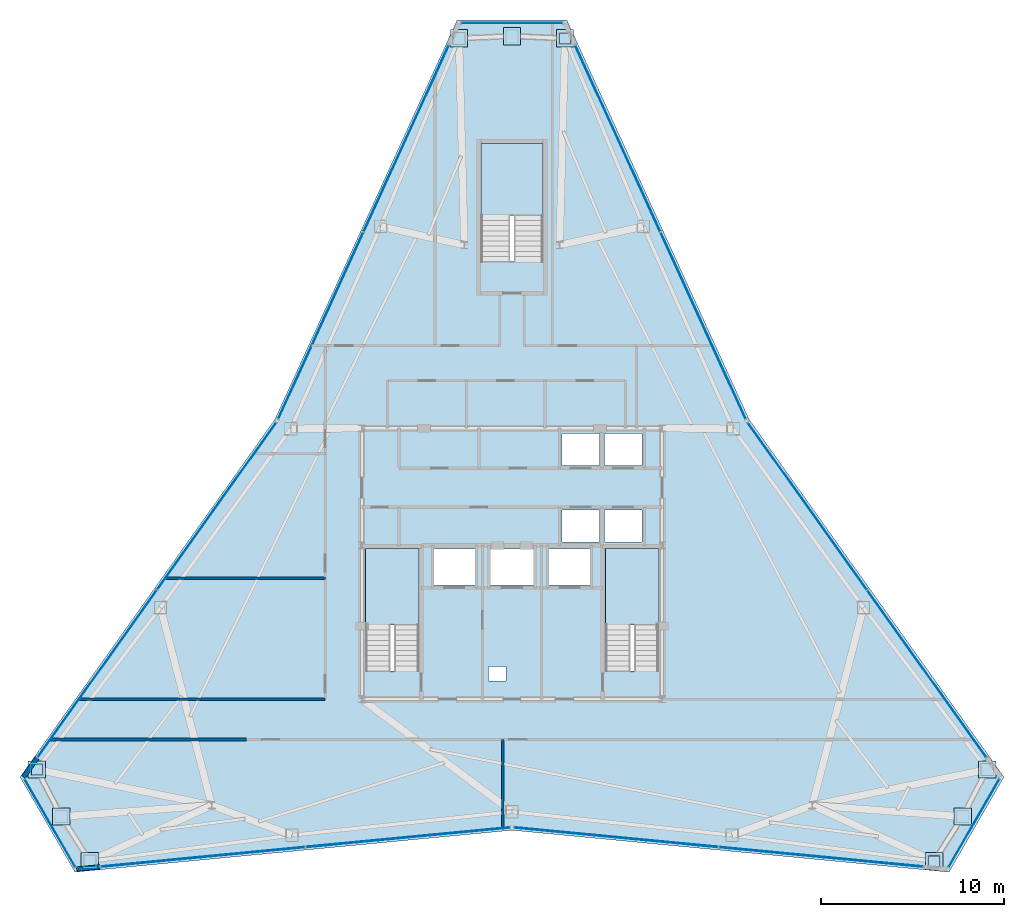
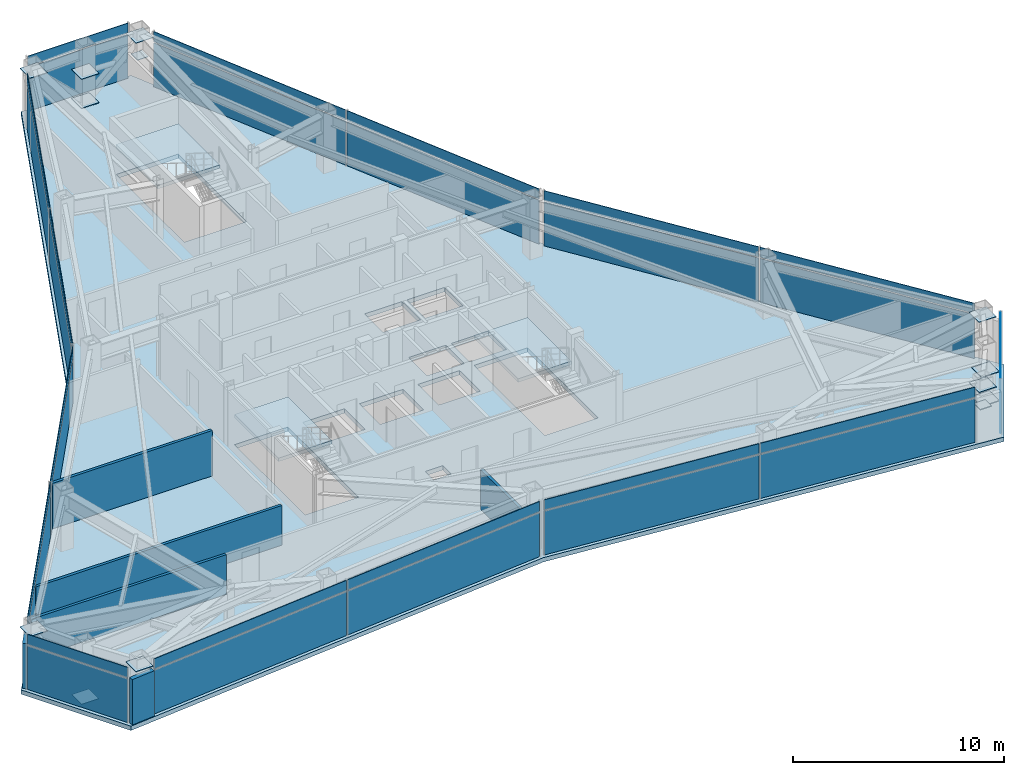
# One storey, part 8 of 12: 45 plates, 6 walls, 4 slabs, 12 elements without a shape of their own.
"""IFC4 building model written with IfcOpenShell, lengths in metres."""

from ifc_helpers import new_model, si_unit, direction, frame, frame_2d, origin, origin_2d, place, context, subcontext, project, spatial, polyline, rectangle, outline, extrude, source, transform, mapped, material, layer, layer_set, type_object, type_shapes, element, aggregate, save


model = new_model("IFC4")

# Units and contexts
model_context = context("Model", 3, precision=1e-05, world=origin(), true_north=direction((0.0, 1.0)))
body_context = subcontext(model_context, "Body", "Model", "MODEL_VIEW")
ifc_project = project(units=[si_unit("LENGTHUNIT", "METRE"), si_unit("AREAUNIT", "SQUARE_METRE"), si_unit("VOLUMEUNIT", "CUBIC_METRE"), si_unit("PLANEANGLEUNIT", "RADIAN"), si_unit("MASSUNIT", "GRAM", prefix="KILO")], contexts=[model_context])

# Site, building, storey
site_placement = place(None, origin())
site = spatial("IfcSite", under=ifc_project, at=site_placement, CompositionType="ELEMENT")
building_placement = place(site_placement, origin())
building = spatial("IfcBuilding", under=site, at=building_placement, Name="Varakhsha Concourse Tower", CompositionType="ELEMENT")
storey_placement = place(building_placement, frame((0.0, 0.0, 243.39990234375)))
storey = spatial("IfcBuildingStorey", under=building, at=storey_placement, Name="L69", CompositionType="ELEMENT", Elevation=243.39990234375)

# Slab
ifc_material_1 = material(Name="Concrete fc 45 MPa", Category="concrete")
ifc_layer_1 = layer(ifc_material_1, 0.25, Name="SL-FLR-250")
ifc_layer_set_1 = layer_set([ifc_layer_1], Name="Concrete fc 45 MPa")
slab_type_1 = type_object("IfcSlabType", Name="SL-FLR-250", PredefinedType="FLOOR", material=ifc_layer_set_1)
slab_1_placement = place(storey_placement, frame((0.0, 0.0, -0.25)))
element("IfcSlab", 1, at=slab_1_placement, inside=storey, type_object=slab_type_1, Name="L69 Composite Structural Slab", PredefinedType="FLOOR", context=body_context, shape_type="SweptSolid", body=[
    extrude(outline(polyline([(43.0, 53.4970703125), (37.0, 53.4970703125), (27.04443359375, 31.679931640625), (13.1279296875, 12.1494140625), (16.1279296875, 6.953369140625), (40.0, 9.240234375), (63.8720703125, 6.953369140625), (66.8720703125, 12.1494140625), (52.95556640625, 31.679931640625), (43.0, 53.4970703125)]), holes=[polyline([(34.919921875, 17.93994140625), (34.919921875, 24.6298828125), (32.0, 24.6298828125), (32.0, 17.93994140625), (34.919921875, 17.93994140625)]), polyline([(48.02001953125, 17.93994140625), (48.02001953125, 24.6298828125), (45.10009765625, 24.6298828125), (45.10009765625, 17.93994140625), (48.02001953125, 17.93994140625)]), polyline([(41.699951171875, 40.300048828125), (41.699951171875, 46.75), (38.300048828125, 46.75), (38.300048828125, 40.300048828125), (41.699951171875, 40.300048828125)]), polyline([(42.739990234375, 29.159912109375), (44.780029296875, 29.159912109375), (44.780029296875, 30.89990234375), (42.739990234375, 30.89990234375), (42.739990234375, 29.159912109375)]), polyline([(45.06005859375, 29.159912109375), (47.10009765625, 29.159912109375), (47.10009765625, 30.89990234375), (45.06005859375, 30.89990234375), (45.06005859375, 29.159912109375)]), polyline([(42.739990234375, 25.0), (44.780029296875, 25.0), (44.780029296875, 26.739990234375), (42.739990234375, 26.739990234375), (42.739990234375, 25.0)]), polyline([(45.06005859375, 25.0), (47.10009765625, 25.0), (47.10009765625, 26.739990234375), (45.06005859375, 26.739990234375), (45.06005859375, 25.0)]), polyline([(35.7099609375, 22.639892578125), (37.989990234375, 22.639892578125), (37.989990234375, 24.60009765625), (35.7099609375, 24.60009765625), (35.7099609375, 22.639892578125)]), polyline([(42.010009765625, 22.639892578125), (44.2900390625, 22.639892578125), (44.2900390625, 24.60009765625), (42.010009765625, 24.60009765625), (42.010009765625, 22.639892578125)]), polyline([(38.81005859375, 22.639892578125), (41.18994140625, 22.639892578125), (41.18994140625, 24.60009765625), (38.81005859375, 24.60009765625), (38.81005859375, 22.639892578125)]), polyline([(38.719970703125, 17.39990234375), (39.679931640625, 17.39990234375), (39.679931640625, 18.199951171875), (38.719970703125, 18.199951171875), (38.719970703125, 17.39990234375)])]), origin(), (0.0, 0.0, 1.0), 0.25),
])

# Stair, slab
stair_type_1 = type_object("IfcStairType", Name="ST-DOGLEG-1360", PredefinedType="HALF_TURN_STAIR", material=ifc_material_1)
stair_1_placement = place(storey_placement, origin())
stair_1 = element("IfcStair", 2, at=stair_1_placement, inside=storey, type_object=stair_type_1, Name="L69 Protected Exit Stair ST1", PredefinedType="HALF_TURN_STAIR")
ifc_layer_2 = layer(ifc_material_1, 0.199951171875, Name="SL-LAND-200")
ifc_layer_set_2 = layer_set([ifc_layer_2], Name="Concrete fc 45 MPa")
slab_type_2 = type_object("IfcSlabType", Name="SL-LAND-200", PredefinedType="LANDING", material=ifc_layer_set_2)
slab_2_placement = place(storey_placement, frame((0.0, 0.0, 1.550048828125)))
slab_2 = element("IfcSlab", 3, at=slab_2_placement, type_object=slab_type_2, Name="ST1 landing 1", PredefinedType="LANDING", context=body_context, shape_type="SweptSolid", body=[
    extrude(outline(polyline([(34.919921875, 20.4599609375), (34.919921875, 24.6298828125), (32.0, 24.6298828125), (32.0, 20.4599609375), (34.919921875, 20.4599609375)])), origin(), (0.0, 0.0, 1.0), 0.199951171875),
])
aggregate(stair_1, [slab_2])

stair_2_placement = place(storey_placement, origin())
stair_2 = element("IfcStair", 4, at=stair_2_placement, inside=storey, type_object=stair_type_1, Name="L69 Protected Exit Stair ST2", PredefinedType="HALF_TURN_STAIR")
slab_3_placement = place(storey_placement, frame((0.0, 0.0, 1.550048828125)))
slab_3 = element("IfcSlab", 5, at=slab_3_placement, type_object=slab_type_2, Name="ST2 landing 1", PredefinedType="LANDING", context=body_context, shape_type="SweptSolid", body=[
    extrude(outline(polyline([(48.02001953125, 20.4599609375), (48.02001953125, 24.6298828125), (45.10009765625, 24.6298828125), (45.10009765625, 20.4599609375), (48.02001953125, 20.4599609375)])), origin(), (0.0, 0.0, 1.0), 0.199951171875),
])
aggregate(stair_2, [slab_3])

stair_type_2 = type_object("IfcStairType", Name="ST-DOGLEG-1600", PredefinedType="HALF_TURN_STAIR", material=ifc_material_1)
stair_3_placement = place(storey_placement, origin())
stair_3 = element("IfcStair", 6, at=stair_3_placement, inside=storey, type_object=stair_type_2, Name="L69 Protected Exit Stair ST5", PredefinedType="HALF_TURN_STAIR")
slab_4_placement = place(storey_placement, frame((0.0, 0.0, 1.550048828125)))
slab_4 = element("IfcSlab", 7, at=slab_4_placement, type_object=slab_type_2, Name="ST5 landing 1", PredefinedType="LANDING", context=body_context, shape_type="SweptSolid", body=[
    extrude(outline(polyline([(41.699951171875, 42.820068359375), (41.699951171875, 46.75), (38.300048828125, 46.75), (38.300048828125, 42.820068359375), (41.699951171875, 42.820068359375)])), origin(), (0.0, 0.0, 1.0), 0.199951171875),
])
aggregate(stair_3, [slab_4])

# Plates
ifc_material_2 = material(Name="Structural Steel ASTM A572 Grade 50", Category="steel")
ifc_layer_3 = layer(ifc_material_2, 0.030029296875, Name="PL-ENDCAP-950")
ifc_layer_set_3 = layer_set([ifc_layer_3], Name="Structural Steel ASTM A572 Grade 50")
plate_type_1 = type_object("IfcPlateType", Name="PL-ENDCAP-950", PredefinedType="USERDEFINED", material=ifc_layer_set_3)
shared_shape_1 = source(origin(), body_context, "Body", "SweptSolid", [
    extrude(rectangle(XDim=0.949951171875, YDim=0.949951171875, at=origin_2d()), origin(), (0.0, 0.0, 1.0), 0.030029296875),
])
type_shapes(plate_type_1, [shared_shape_1])
for number, where, z_axis, x_axis, name in (
    (8, (40.0, 52.6171875, 0.10498046875), (0.0, 0.0, 1.0), (1.0, 0.0, 0.0), "Hollow Section End Cap GP-NODE-L69-0703"),
    (9, (42.89697265625, 52.490478515625, 2.93505859375), (0.0, 0.0, 1.0), (1.0, 0.0, 0.0), "Hollow Section End Cap GP-NODE-L69-0704"),
    (10, (37.10302734375, 52.490478515625, 2.93505859375), (0.0, 0.0, 1.0), (1.0, 0.0, 0.0), "Hollow Section End Cap GP-NODE-L69-0705"),
    (11, (15.389892578125, 9.991455078125, 0.10498046875), (0.0, 0.0, 1.0), (1.0, 0.0, 0.0), "Hollow Section End Cap GP-NODE-L69-0706"),
    (12, (14.05126953125, 12.563720703125, 2.93505859375), (0.0, 0.0, 1.0), (1.0, 0.0, 0.0), "Hollow Section End Cap GP-NODE-L69-0707"),
    (13, (16.9482421875, 7.5458984375, 2.93505859375), (0.0, 0.0, 1.0), (1.0, 0.0, 0.0), "Hollow Section End Cap GP-NODE-L69-0708"),
    (14, (64.610107421875, 9.991455078125, 0.10498046875), (0.0, 0.0, 1.0), (1.0, 0.0, 0.0), "Hollow Section End Cap GP-NODE-L69-0709"),
    (15, (63.0517578125, 7.5458984375, 2.93505859375), (0.0, 0.0, 1.0), (1.0, 0.0, 0.0), "Hollow Section End Cap GP-NODE-L69-0710"),
    (16, (65.94873046875, 12.563720703125, 2.93505859375), (0.0, 0.0, 1.0), (1.0, 0.0, 0.0), "Hollow Section End Cap GP-NODE-L69-0711"),
    (17, (40.0, 52.6171875, 1.78515625), (0.0, 0.0, 1.0), (1.0, 0.0, 0.0), "Hollow Section End Cap GP-NODE-L69-0712"),
    (18, (15.389892578125, 9.991455078125, 1.78515625), (0.0, 0.0, 1.0), (1.0, 0.0, 0.0), "Hollow Section End Cap GP-NODE-L69-0713"),
    (19, (64.610107421875, 9.991455078125, 1.78515625), (0.0, 0.0, 1.0), (1.0, 0.0, 0.0), "Hollow Section End Cap GP-NODE-L69-0714"),
):
    element("IfcPlate", number, at=place(storey_placement, frame(where, z_axis=z_axis, x_axis=x_axis)), inside=storey, type_object=plate_type_1, Name=name, ObjectType="END PLATE", PredefinedType="USERDEFINED", context=body_context, shape_type="MappedRepresentation", body=[
        mapped(shared_shape_1, transform((0.0, 0.0, 0.0), scale=1.0)),
    ])
ifc_layer_4 = layer(ifc_material_2, 0.030029296875, Name="PL-BASE-600")
ifc_layer_set_4 = layer_set([ifc_layer_4], Name="Structural Steel ASTM A572 Grade 50")
plate_type_2 = type_object("IfcPlateType", Name="PL-BASE-600", PredefinedType="SHEET", material=ifc_layer_set_4)
shared_shape_2 = source(origin(), body_context, "Body", "SweptSolid", [
    extrude(rectangle(XDim=0.60009765625, YDim=0.60009765625, at=origin_2d()), origin(), (0.0, 0.0, 1.0), 0.030029296875),
])
type_shapes(plate_type_2, [shared_shape_2])
for number, where, z_axis, x_axis, name in (
    (20, (42.89697265625, 52.490478515625, 1.78515625), (0.0, 0.0, 1.0), (1.0, 0.0, 0.0), "Hollow Section End Cap BP-WTIE-L69-1"),
    (21, (14.05126953125, 12.563720703125, 1.78515625), (0.0, 0.0, 1.0), (1.0, 0.0, 0.0), "Hollow Section End Cap BP-WTIE-L69-2"),
    (22, (63.0517578125, 7.5458984375, 1.78515625), (0.0, 0.0, 1.0), (1.0, 0.0, 0.0), "Hollow Section End Cap BP-WTIE-L69-3"),
):
    element("IfcPlate", number, at=place(storey_placement, frame(where, z_axis=z_axis, x_axis=x_axis)), inside=storey, type_object=plate_type_2, Name=name, PredefinedType="SHEET", context=body_context, shape_type="MappedRepresentation", body=[
        mapped(shared_shape_2, transform((0.0, 0.0, 0.0), scale=1.0)),
    ])

# Curtain wall, plates
ifc_material_3 = material(Name="Anodised Bronze Architectural Aluminium AA 6063-T6", Category="aluminium")
ifc_layer_5 = layer(ifc_material_3, 0.199951171875, Name="CW-SYS-05")
ifc_layer_set_5 = layer_set([ifc_layer_5], Name="Anodised Bronze Architectural Aluminium AA 6063-T6")
curtain_wall_type = type_object("IfcCurtainWallType", Name="CW-SYS-05", PredefinedType="NOTDEFINED", material=ifc_layer_set_5)
curtain_wall_1_placement = place(storey_placement, origin())
curtain_wall_1 = element("IfcCurtainWall", 23, at=curtain_wall_1_placement, inside=storey, type_object=curtain_wall_type, Name="L69 Chamfer Curtain Wall F1", PredefinedType="NOTDEFINED")
ifc_material_4 = material(Name="Insulated Anodised Bronze Aluminium Spandrel 36 mm", Category="aluminium")
ifc_layer_6 = layer(ifc_material_4, 0.035888671875, Name="CWP-SPN-36")
ifc_layer_set_6 = layer_set([ifc_layer_6], Name="Insulated Anodised Bronze Aluminium Spandrel 36 mm")
plate_type_3 = type_object("IfcPlateType", Name="CWP-SPN-36", PredefinedType="USERDEFINED", material=ifc_layer_set_6)
shared_shape_3 = source(origin(), body_context, "Body", "SweptSolid", [
    extrude(rectangle(XDim=5.490966796875, YDim=0.035888671875, at=origin_2d()), origin(), (0.0, 0.0, 1.0), 2.535888671875),
])
plate_1_placement = place(storey_placement, frame((40.0, 53.337158203125, 0.0322265625), z_axis=(0.0, 0.0, 1.0), x_axis=(1.0, 0.0, 0.0)))
plate_1 = element("IfcPlate", 24, at=plate_1_placement, type_object=plate_type_3, Name="CW-L69-F1 Panel 00-00", ObjectType="SPANDREL", PredefinedType="USERDEFINED", context=body_context, shape_type="MappedRepresentation", body=[
    mapped(shared_shape_3, transform((0.0, 0.0, 0.0), scale=1.0)),
])
shared_shape_4 = source(origin(), body_context, "Body", "SweptSolid", [
    extrude(rectangle(XDim=5.490966796875, YDim=0.035888671875, at=origin_2d()), origin(), (0.0, 0.0, 1.0), 0.5859375),
])
plate_2_placement = place(storey_placement, frame((40.0, 53.337158203125, 2.632080078125), z_axis=(0.0, 0.0, 1.0), x_axis=(1.0, 0.0, 0.0)))
plate_2 = element("IfcPlate", 25, at=plate_2_placement, type_object=plate_type_3, Name="CW-L69-F1 Panel 00-01", ObjectType="SPANDREL", PredefinedType="USERDEFINED", context=body_context, shape_type="MappedRepresentation", body=[
    mapped(shared_shape_4, transform((0.0, 0.0, 0.0), scale=1.0)),
])
aggregate(curtain_wall_1, [plate_1, plate_2])

curtain_wall_2_placement = place(storey_placement, origin())
curtain_wall_2 = element("IfcCurtainWall", 26, at=curtain_wall_2_placement, inside=storey, type_object=curtain_wall_type, Name="L69 Crystal Curtain Wall F2", PredefinedType="NOTDEFINED")
ifc_material_5 = material(Name="Low-E Triple Insulating Glass IGU 44 mm", Category="glass")
ifc_layer_7 = layer(ifc_material_5, 0.0439453125, Name="CWP-IGU-44")
ifc_layer_set_7 = layer_set([ifc_layer_7], Name="Low-E Triple Insulating Glass IGU 44 mm")
plate_type_4 = type_object("IfcPlateType", Name="CWP-IGU-44", PredefinedType="CURTAIN_PANEL", material=ifc_layer_set_7)
shared_shape_5 = source(origin(), body_context, "Body", "SweptSolid", [
    extrude(rectangle(XDim=11.171630859375, YDim=0.0439453125, at=origin_2d()), origin(), (0.0, 0.0, 1.0), 2.535888671875),
])
plate_3_placement = place(storey_placement, frame((29.556396484375, 36.79931640625, 0.0322265625), z_axis=(0.0, 0.0, 1.0), x_axis=(0.415133120597, 0.909760678521, 0.0)))
plate_3 = element("IfcPlate", 27, at=plate_3_placement, type_object=plate_type_4, Name="CW-L69-F2 Panel 00-00", PredefinedType="CURTAIN_PANEL", context=body_context, shape_type="MappedRepresentation", body=[
    mapped(shared_shape_5, transform((0.0, 0.0, 0.0), scale=1.0)),
])
plate_4_placement = place(storey_placement, frame((34.222900390625, 47.025634765625, 0.0322265625), z_axis=(0.0, 0.0, 1.0), x_axis=(0.415133120597, 0.909760678521, 0.0)))
plate_4 = element("IfcPlate", 28, at=plate_4_placement, type_object=plate_type_4, Name="CW-L69-F2 Panel 01-00", PredefinedType="CURTAIN_PANEL", context=body_context, shape_type="MappedRepresentation", body=[
    mapped(shared_shape_5, transform((0.0, 0.0, 0.0), scale=1.0)),
])

curtain_wall_3_placement = place(storey_placement, origin())
curtain_wall_3 = element("IfcCurtainWall", 29, at=curtain_wall_3_placement, inside=storey, type_object=curtain_wall_type, Name="L69 Crystal Curtain Wall F3", PredefinedType="NOTDEFINED")
plate_5_placement = place(storey_placement, frame((17.34375, 17.790283203125, 0.0322265625), z_axis=(0.0, 0.0, 1.0), x_axis=(0.580306455883, 0.814398193306, 0.0)))
plate_5 = element("IfcPlate", 30, at=plate_5_placement, type_object=plate_type_4, Name="CW-L69-F3 Panel 00-00", PredefinedType="CURTAIN_PANEL", context=body_context, shape_type="MappedRepresentation", body=[
    mapped(shared_shape_5, transform((0.0, 0.0, 0.0), scale=1.0)),
])
plate_6_placement = place(storey_placement, frame((23.866943359375, 26.944580078125, 0.0322265625), z_axis=(0.0, 0.0, 1.0), x_axis=(0.580306455883, 0.814398193306, 0.0)))
plate_6 = element("IfcPlate", 31, at=plate_6_placement, type_object=plate_type_4, Name="CW-L69-F3 Panel 01-00", PredefinedType="CURTAIN_PANEL", context=body_context, shape_type="MappedRepresentation", body=[
    mapped(shared_shape_5, transform((0.0, 0.0, 0.0), scale=1.0)),
])

# Curtain wall, plate
curtain_wall_4_placement = place(storey_placement, origin())
curtain_wall_4 = element("IfcCurtainWall", 32, at=curtain_wall_4_placement, inside=storey, type_object=curtain_wall_type, Name="L69 Crystal Curtain Wall F5", PredefinedType="NOTDEFINED")
plate_7_placement = place(storey_placement, frame((23.120849609375, 7.783935546875, 0.0322265625), z_axis=(0.0, 0.0, 1.0), x_axis=(-0.995442585703, -0.095362773497, 0.0)))
plate_7 = element("IfcPlate", 33, at=plate_7_placement, type_object=plate_type_4, Name="CW-L69-F5 Panel 01-00", PredefinedType="CURTAIN_PANEL", context=body_context, shape_type="MappedRepresentation", body=[
    mapped(shared_shape_5, transform((0.0, 0.0, 0.0), scale=1.0)),
])

curtain_wall_5_placement = place(storey_placement, origin())
curtain_wall_5 = element("IfcCurtainWall", 34, at=curtain_wall_5_placement, inside=storey, type_object=curtain_wall_type, Name="L69 Crystal Curtain Wall F6", PredefinedType="NOTDEFINED")
plate_8_placement = place(storey_placement, frame((45.689697265625, 8.85595703125, 0.0322265625), z_axis=(0.0, 0.0, 1.0), x_axis=(-0.995442585703, 0.095362773497, 0.0)))
plate_8 = element("IfcPlate", 35, at=plate_8_placement, type_object=plate_type_4, Name="CW-L69-F6 Panel 01-00", PredefinedType="CURTAIN_PANEL", context=body_context, shape_type="MappedRepresentation", body=[
    mapped(shared_shape_5, transform((0.0, 0.0, 0.0), scale=1.0)),
])

# Curtain wall, plates
curtain_wall_6_placement = place(storey_placement, origin())
curtain_wall_6 = element("IfcCurtainWall", 36, at=curtain_wall_6_placement, inside=storey, type_object=curtain_wall_type, Name="L69 Crystal Curtain Wall F8", PredefinedType="NOTDEFINED")
plate_9_placement = place(storey_placement, frame((56.133056640625, 26.944580078125, 0.0322265625), z_axis=(0.0, 0.0, 1.0), x_axis=(0.580306455883, -0.814398193306, 0.0)))
plate_9 = element("IfcPlate", 37, at=plate_9_placement, type_object=plate_type_4, Name="CW-L69-F8 Panel 00-00", PredefinedType="CURTAIN_PANEL", context=body_context, shape_type="MappedRepresentation", body=[
    mapped(shared_shape_5, transform((0.0, 0.0, 0.0), scale=1.0)),
])
plate_10_placement = place(storey_placement, frame((62.65625, 17.790283203125, 0.0322265625), z_axis=(0.0, 0.0, 1.0), x_axis=(0.580306455883, -0.814398193306, 0.0)))
plate_10 = element("IfcPlate", 38, at=plate_10_placement, type_object=plate_type_4, Name="CW-L69-F8 Panel 01-00", PredefinedType="CURTAIN_PANEL", context=body_context, shape_type="MappedRepresentation", body=[
    mapped(shared_shape_5, transform((0.0, 0.0, 0.0), scale=1.0)),
])

curtain_wall_7_placement = place(storey_placement, origin())
curtain_wall_7 = element("IfcCurtainWall", 39, at=curtain_wall_7_placement, inside=storey, type_object=curtain_wall_type, Name="L69 Crystal Curtain Wall F9", PredefinedType="NOTDEFINED")
plate_11_placement = place(storey_placement, frame((45.777099609375, 47.025634765625, 0.0322265625), z_axis=(0.0, 0.0, 1.0), x_axis=(0.415133120597, -0.909760678521, 0.0)))
plate_11 = element("IfcPlate", 40, at=plate_11_placement, type_object=plate_type_4, Name="CW-L69-F9 Panel 00-00", PredefinedType="CURTAIN_PANEL", context=body_context, shape_type="MappedRepresentation", body=[
    mapped(shared_shape_5, transform((0.0, 0.0, 0.0), scale=1.0)),
])
plate_12_placement = place(storey_placement, frame((50.443603515625, 36.79931640625, 0.0322265625), z_axis=(0.0, 0.0, 1.0), x_axis=(0.415133120597, -0.909760678521, 0.0)))
plate_12 = element("IfcPlate", 41, at=plate_12_placement, type_object=plate_type_4, Name="CW-L69-F9 Panel 01-00", PredefinedType="CURTAIN_PANEL", context=body_context, shape_type="MappedRepresentation", body=[
    mapped(shared_shape_5, transform((0.0, 0.0, 0.0), scale=1.0)),
])

# Plate
shared_shape_6 = source(origin(), body_context, "Body", "SweptSolid", [
    extrude(rectangle(XDim=11.171630859375, YDim=0.035888671875, at=origin_2d()), origin(), (0.0, 0.0, 1.0), 0.5859375),
])
plate_13_placement = place(storey_placement, frame((29.556396484375, 36.79931640625, 2.632080078125), z_axis=(0.0, 0.0, 1.0), x_axis=(0.415133120597, 0.909760678521, 0.0)))
plate_13 = element("IfcPlate", 42, at=plate_13_placement, type_object=plate_type_3, Name="CW-L69-F2 Panel 00-01", ObjectType="SPANDREL", PredefinedType="USERDEFINED", context=body_context, shape_type="MappedRepresentation", body=[
    mapped(shared_shape_6, transform((0.0, 0.0, 0.0), scale=1.0)),
])

plate_14_placement = place(storey_placement, frame((34.222900390625, 47.025634765625, 2.632080078125), z_axis=(0.0, 0.0, 1.0), x_axis=(0.415133120597, 0.909760678521, 0.0)))
plate_14 = element("IfcPlate", 43, at=plate_14_placement, type_object=plate_type_3, Name="CW-L69-F2 Panel 01-01", ObjectType="SPANDREL", PredefinedType="USERDEFINED", context=body_context, shape_type="MappedRepresentation", body=[
    mapped(shared_shape_6, transform((0.0, 0.0, 0.0), scale=1.0)),
])

aggregate(curtain_wall_2, [plate_3, plate_13, plate_4, plate_14])

plate_15_placement = place(storey_placement, frame((17.34375, 17.790283203125, 2.632080078125), z_axis=(0.0, 0.0, 1.0), x_axis=(0.580306455883, 0.814398193306, 0.0)))
plate_15 = element("IfcPlate", 44, at=plate_15_placement, type_object=plate_type_3, Name="CW-L69-F3 Panel 00-01", ObjectType="SPANDREL", PredefinedType="USERDEFINED", context=body_context, shape_type="MappedRepresentation", body=[
    mapped(shared_shape_6, transform((0.0, 0.0, 0.0), scale=1.0)),
])

plate_16_placement = place(storey_placement, frame((23.866943359375, 26.944580078125, 2.632080078125), z_axis=(0.0, 0.0, 1.0), x_axis=(0.580306455883, 0.814398193306, 0.0)))
plate_16 = element("IfcPlate", 45, at=plate_16_placement, type_object=plate_type_3, Name="CW-L69-F3 Panel 01-01", ObjectType="SPANDREL", PredefinedType="USERDEFINED", context=body_context, shape_type="MappedRepresentation", body=[
    mapped(shared_shape_6, transform((0.0, 0.0, 0.0), scale=1.0)),
])

aggregate(curtain_wall_3, [plate_5, plate_15, plate_6, plate_16])

plate_17_placement = place(storey_placement, frame((23.120849609375, 7.783935546875, 2.632080078125), z_axis=(0.0, 0.0, 1.0), x_axis=(-0.995442585703, -0.095362773497, 0.0)))
plate_17 = element("IfcPlate", 46, at=plate_17_placement, type_object=plate_type_3, Name="CW-L69-F5 Panel 01-01", ObjectType="SPANDREL", PredefinedType="USERDEFINED", context=body_context, shape_type="MappedRepresentation", body=[
    mapped(shared_shape_6, transform((0.0, 0.0, 0.0), scale=1.0)),
])

plate_18_placement = place(storey_placement, frame((45.689697265625, 8.85595703125, 2.632080078125), z_axis=(0.0, 0.0, 1.0), x_axis=(-0.995442585703, 0.095362773497, 0.0)))
plate_18 = element("IfcPlate", 47, at=plate_18_placement, type_object=plate_type_3, Name="CW-L69-F6 Panel 01-01", ObjectType="SPANDREL", PredefinedType="USERDEFINED", context=body_context, shape_type="MappedRepresentation", body=[
    mapped(shared_shape_6, transform((0.0, 0.0, 0.0), scale=1.0)),
])

plate_19_placement = place(storey_placement, frame((56.133056640625, 26.944580078125, 2.632080078125), z_axis=(0.0, 0.0, 1.0), x_axis=(0.580306455883, -0.814398193306, 0.0)))
plate_19 = element("IfcPlate", 48, at=plate_19_placement, type_object=plate_type_3, Name="CW-L69-F8 Panel 00-01", ObjectType="SPANDREL", PredefinedType="USERDEFINED", context=body_context, shape_type="MappedRepresentation", body=[
    mapped(shared_shape_6, transform((0.0, 0.0, 0.0), scale=1.0)),
])

plate_20_placement = place(storey_placement, frame((62.65625, 17.790283203125, 2.632080078125), z_axis=(0.0, 0.0, 1.0), x_axis=(0.580306455883, -0.814398193306, 0.0)))
plate_20 = element("IfcPlate", 49, at=plate_20_placement, type_object=plate_type_3, Name="CW-L69-F8 Panel 01-01", ObjectType="SPANDREL", PredefinedType="USERDEFINED", context=body_context, shape_type="MappedRepresentation", body=[
    mapped(shared_shape_6, transform((0.0, 0.0, 0.0), scale=1.0)),
])

aggregate(curtain_wall_6, [plate_9, plate_19, plate_10, plate_20])

plate_21_placement = place(storey_placement, frame((45.777099609375, 47.025634765625, 2.632080078125), z_axis=(0.0, 0.0, 1.0), x_axis=(0.415133120597, -0.909760678521, 0.0)))
plate_21 = element("IfcPlate", 50, at=plate_21_placement, type_object=plate_type_3, Name="CW-L69-F9 Panel 00-01", ObjectType="SPANDREL", PredefinedType="USERDEFINED", context=body_context, shape_type="MappedRepresentation", body=[
    mapped(shared_shape_6, transform((0.0, 0.0, 0.0), scale=1.0)),
])

plate_22_placement = place(storey_placement, frame((50.443603515625, 36.79931640625, 2.632080078125), z_axis=(0.0, 0.0, 1.0), x_axis=(0.415133120597, -0.909760678521, 0.0)))
plate_22 = element("IfcPlate", 51, at=plate_22_placement, type_object=plate_type_3, Name="CW-L69-F9 Panel 01-01", ObjectType="SPANDREL", PredefinedType="USERDEFINED", context=body_context, shape_type="MappedRepresentation", body=[
    mapped(shared_shape_6, transform((0.0, 0.0, 0.0), scale=1.0)),
])

aggregate(curtain_wall_7, [plate_11, plate_21, plate_12, plate_22])

# Curtain wall, plate
curtain_wall_8_placement = place(storey_placement, origin())
curtain_wall_8 = element("IfcCurtainWall", 52, at=curtain_wall_8_placement, inside=storey, type_object=curtain_wall_type, Name="L69 Chamfer Curtain Wall F4", PredefinedType="NOTDEFINED")
shared_shape_7 = source(origin(), body_context, "Body", "SweptSolid", [
    extrude(rectangle(XDim=5.4912109375, YDim=0.035888671875, at=origin_2d()), origin(), (0.0, 0.0, 1.0), 2.535888671875),
])
plate_23_placement = place(storey_placement, frame((14.7666015625, 9.63134765625, 0.0322265625), z_axis=(0.0, 0.0, 1.0), x_axis=(-0.499992442484, 0.866029767075, 0.0)))
plate_23 = element("IfcPlate", 53, at=plate_23_placement, type_object=plate_type_3, Name="CW-L69-F4 Panel 00-00", ObjectType="SPANDREL", PredefinedType="USERDEFINED", context=body_context, shape_type="MappedRepresentation", body=[
    mapped(shared_shape_7, transform((0.0, 0.0, 0.0), scale=1.0)),
])

curtain_wall_9_placement = place(storey_placement, origin())
curtain_wall_9 = element("IfcCurtainWall", 54, at=curtain_wall_9_placement, inside=storey, type_object=curtain_wall_type, Name="L69 Chamfer Curtain Wall F7", PredefinedType="NOTDEFINED")
plate_24_placement = place(storey_placement, frame((65.2333984375, 9.63134765625, 0.0322265625), z_axis=(0.0, 0.0, 1.0), x_axis=(-0.499992442484, -0.866029767075, 0.0)))
plate_24 = element("IfcPlate", 55, at=plate_24_placement, type_object=plate_type_3, Name="CW-L69-F7 Panel 00-00", ObjectType="SPANDREL", PredefinedType="USERDEFINED", context=body_context, shape_type="MappedRepresentation", body=[
    mapped(shared_shape_7, transform((0.0, 0.0, 0.0), scale=1.0)),
])

# Plate
shared_shape_8 = source(origin(), body_context, "Body", "SweptSolid", [
    extrude(rectangle(XDim=5.4912109375, YDim=0.035888671875, at=origin_2d()), origin(), (0.0, 0.0, 1.0), 0.5859375),
])
plate_25_placement = place(storey_placement, frame((14.7666015625, 9.63134765625, 2.632080078125), z_axis=(0.0, 0.0, 1.0), x_axis=(-0.499992442484, 0.866029767075, 0.0)))
plate_25 = element("IfcPlate", 56, at=plate_25_placement, type_object=plate_type_3, Name="CW-L69-F4 Panel 00-01", ObjectType="SPANDREL", PredefinedType="USERDEFINED", context=body_context, shape_type="MappedRepresentation", body=[
    mapped(shared_shape_8, transform((0.0, 0.0, 0.0), scale=1.0)),
])

aggregate(curtain_wall_8, [plate_23, plate_25])

plate_26_placement = place(storey_placement, frame((65.2333984375, 9.63134765625, 2.632080078125), z_axis=(0.0, 0.0, 1.0), x_axis=(-0.499992442484, -0.866029767075, 0.0)))
plate_26 = element("IfcPlate", 57, at=plate_26_placement, type_object=plate_type_3, Name="CW-L69-F7 Panel 00-01", ObjectType="SPANDREL", PredefinedType="USERDEFINED", context=body_context, shape_type="MappedRepresentation", body=[
    mapped(shared_shape_8, transform((0.0, 0.0, 0.0), scale=1.0)),
])

aggregate(curtain_wall_9, [plate_24, plate_26])

shared_shape_9 = source(origin(), body_context, "Body", "SweptSolid", [
    extrude(rectangle(XDim=11.171875, YDim=0.0439453125, at=origin_2d()), origin(), (0.0, 0.0, 1.0), 2.535888671875),
])
type_shapes(plate_type_4, [shared_shape_5, shared_shape_9])
plate_27_placement = place(storey_placement, frame((34.310302734375, 8.85595703125, 0.0322265625), z_axis=(0.0, 0.0, 1.0), x_axis=(-0.995442585703, -0.095362773497, 0.0)))
plate_27 = element("IfcPlate", 58, at=plate_27_placement, type_object=plate_type_4, Name="CW-L69-F5 Panel 00-00", PredefinedType="CURTAIN_PANEL", context=body_context, shape_type="MappedRepresentation", body=[
    mapped(shared_shape_9, transform((0.0, 0.0, 0.0), scale=1.0)),
])

plate_28_placement = place(storey_placement, frame((56.879150390625, 7.783935546875, 0.0322265625), z_axis=(0.0, 0.0, 1.0), x_axis=(-0.995442585703, 0.095362773497, 0.0)))
plate_28 = element("IfcPlate", 59, at=plate_28_placement, type_object=plate_type_4, Name="CW-L69-F6 Panel 00-00", PredefinedType="CURTAIN_PANEL", context=body_context, shape_type="MappedRepresentation", body=[
    mapped(shared_shape_9, transform((0.0, 0.0, 0.0), scale=1.0)),
])

shared_shape_10 = source(origin(), body_context, "Body", "SweptSolid", [
    extrude(rectangle(XDim=11.171875, YDim=0.035888671875, at=origin_2d()), origin(), (0.0, 0.0, 1.0), 0.5859375),
])
type_shapes(plate_type_3, [shared_shape_3, shared_shape_4, shared_shape_6, shared_shape_7, shared_shape_8, shared_shape_10])
plate_29_placement = place(storey_placement, frame((34.310302734375, 8.85595703125, 2.632080078125), z_axis=(0.0, 0.0, 1.0), x_axis=(-0.995442585703, -0.095362773497, 0.0)))
plate_29 = element("IfcPlate", 60, at=plate_29_placement, type_object=plate_type_3, Name="CW-L69-F5 Panel 00-01", ObjectType="SPANDREL", PredefinedType="USERDEFINED", context=body_context, shape_type="MappedRepresentation", body=[
    mapped(shared_shape_10, transform((0.0, 0.0, 0.0), scale=1.0)),
])

aggregate(curtain_wall_4, [plate_27, plate_29, plate_7, plate_17])

plate_30_placement = place(storey_placement, frame((56.879150390625, 7.783935546875, 2.632080078125), z_axis=(0.0, 0.0, 1.0), x_axis=(-0.995442585703, 0.095362773497, 0.0)))
plate_30 = element("IfcPlate", 61, at=plate_30_placement, type_object=plate_type_3, Name="CW-L69-F6 Panel 00-01", ObjectType="SPANDREL", PredefinedType="USERDEFINED", context=body_context, shape_type="MappedRepresentation", body=[
    mapped(shared_shape_10, transform((0.0, 0.0, 0.0), scale=1.0)),
])

aggregate(curtain_wall_5, [plate_28, plate_30, plate_8, plate_18])

# Walls
ifc_layer_8 = layer(ifc_material_1, 0.239990234375, Name="WL-EXT-CRN-240")
ifc_layer_set_8 = layer_set([ifc_layer_8], Name="Concrete fc 45 MPa")
wall_type_1 = type_object("IfcWallType", Name="WL-EXT-CRN-240", PredefinedType="SHEAR", material=ifc_layer_set_8)
wall_1_placement = place(storey_placement, frame((14.0634765625, 13.1865234375, 0.0), z_axis=(0.0, 0.0, 1.0), x_axis=(-0.580314460297, -0.814392489632, 0.0)))
element("IfcWall", 62, at=wall_1_placement, inside=storey, type_object=wall_type_1, Name="L69 Wind-Corner Shoulder Wall F3", PredefinedType="SHEAR", context=body_context, shape_type="SweptSolid", body=[
    extrude(rectangle(XDim=1.275634765625, YDim=0.239990234375, at=frame_2d((0.6376953125, 0.0))), origin(), (0.0, 0.0, 1.0), 2.623046875),
])
wall_2_placement = place(storey_placement, frame((16.22412109375, 7.123291015625, 0.0), z_axis=(0.0, 0.0, 1.0), x_axis=(0.995445433377, 0.095333043427, 0.0)))
element("IfcWall", 63, at=wall_2_placement, inside=storey, type_object=wall_type_1, Name="L69 Wind-Corner Shoulder Wall F5", PredefinedType="SHEAR", context=body_context, shape_type="SweptSolid", body=[
    extrude(rectangle(XDim=1.275390625, YDim=0.239990234375, at=frame_2d((0.6376953125, 0.0))), origin(), (0.0, 0.0, 1.0), 2.623046875),
])
ifc_material_6 = material(Name="Fire-Rated Type X Gypsum Partition Assembly", Category="gypsum")
ifc_layer_9 = layer(ifc_material_6, 0.14990234375, Name="WL-PART-150")
ifc_layer_set_9 = layer_set([ifc_layer_9], Name="Fire-Rated Type X Gypsum Partition Assembly")
wall_type_2 = type_object("IfcWallType", Name="WL-PART-150", PredefinedType="PARTITIONING", material=ifc_layer_set_9)
wall_3_placement = place(storey_placement, frame((14.79150390625, 14.199951171875, 0.0), z_axis=(0.0, 0.0, 1.0), x_axis=(1.0, 0.0, 0.0)))
element("IfcWall", 64, at=wall_3_placement, inside=storey, type_object=wall_type_2, Name="L69 Wall CRW-SGAL-SW-L69", PredefinedType="PARTITIONING", context=body_context, shape_type="SweptSolid", body=[
    extrude(rectangle(XDim=10.70849609375, YDim=0.14990234375, at=frame_2d((5.354248046875, 0.0))), origin(), (0.0, 0.0, 1.0), 2.2919921875),
])
wall_4_placement = place(storey_placement, frame((16.359130859375, 16.39990234375, 0.0), z_axis=(0.0, 0.0, 1.0), x_axis=(1.0, 0.0, 0.0)))
element("IfcWall", 65, at=wall_4_placement, inside=storey, type_object=wall_type_2, Name="L69 Wall CRW-SGAL-NW-L69", PredefinedType="PARTITIONING", context=body_context, shape_type="SweptSolid", body=[
    extrude(rectangle(XDim=13.44091796875, YDim=0.14990234375, at=frame_2d((6.720458984375, 0.0))), origin(), (0.0, 0.0, 1.0), 2.2919921875),
])
wall_5_placement = place(storey_placement, frame((39.5, 9.358154296875, 0.0), z_axis=(0.0, 0.0, 1.0), x_axis=(0.0, 1.0, 0.0)))
element("IfcWall", 66, at=wall_5_placement, inside=storey, type_object=wall_type_2, Name="L69 Wall ODIV-S1-L69", PredefinedType="PARTITIONING", context=body_context, shape_type="SweptSolid", body=[
    extrude(rectangle(XDim=4.841796875, YDim=0.14990234375, at=frame_2d((2.4208984375, 0.0))), origin(), (0.0, 0.0, 1.0), 2.2919921875),
])
wall_6_placement = place(storey_placement, frame((21.06201171875, 23.0, 0.0), z_axis=(0.0, 0.0, 1.0), x_axis=(1.0, 0.0, 0.0)))
element("IfcWall", 67, at=wall_6_placement, inside=storey, type_object=wall_type_2, Name="L69 Wall ODIV-W1-L69", PredefinedType="PARTITIONING", context=body_context, shape_type="SweptSolid", body=[
    extrude(rectangle(XDim=8.738037109375, YDim=0.14990234375, at=frame_2d((4.369140625, 0.0))), origin(), (0.0, 0.0, 1.0), 2.628173828125),
])

save(model, "model.ifc")
